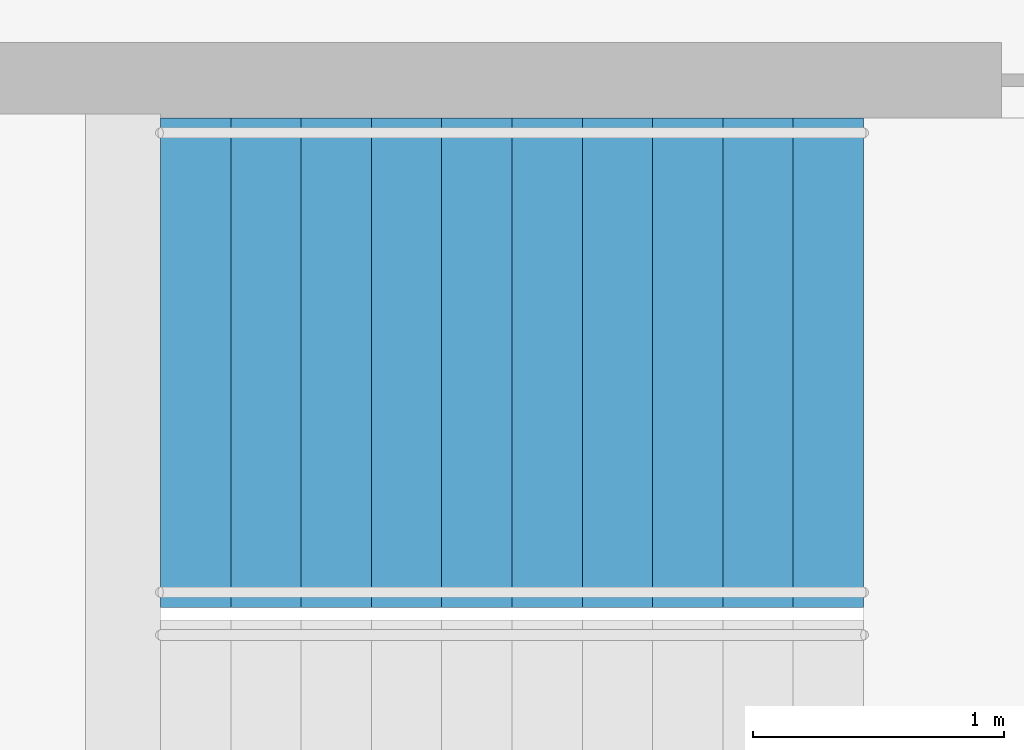
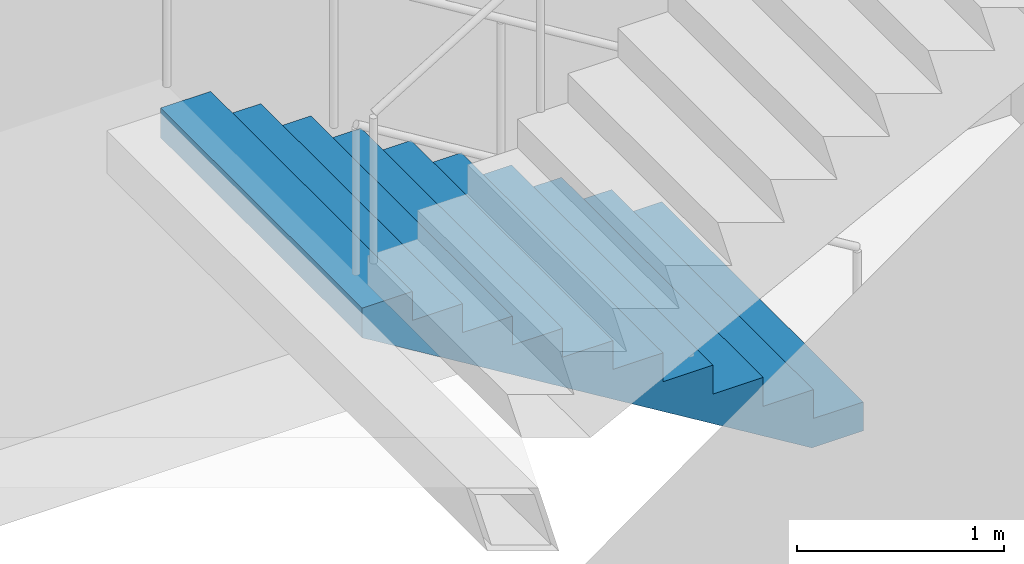
# One storey, part 25 of 28: 1 stair flight, 1 element without a shape of its own.
"""IFC4 building model written with IfcOpenShell, lengths in metres."""

from ifc_helpers import new_model, si_unit, direction, frame, origin, place, context, subcontext, project, spatial, triangles, material, type_object, element, aggregate, save


model = new_model("IFC4")

# Units and contexts
model_context = context("Model", 3, precision=1e-05, world=origin(), true_north=direction((0.0, 1.0)))
body_context = subcontext(model_context, "Body", "Model", "MODEL_VIEW")
ifc_project = project(units=[si_unit("LENGTHUNIT", "METRE"), si_unit("AREAUNIT", "SQUARE_METRE"), si_unit("VOLUMEUNIT", "CUBIC_METRE"), si_unit("PLANEANGLEUNIT", "RADIAN"), si_unit("MASSUNIT", "GRAM", prefix="KILO")], contexts=[model_context])

# Site, building, storey
site_placement = place(None, origin())
site = spatial("IfcSite", under=ifc_project, at=site_placement, CompositionType="ELEMENT")
building_placement = place(site_placement, origin())
building = spatial("IfcBuilding", under=site, at=building_placement, Name="Orbita Commons", CompositionType="ELEMENT")
storey_placement = place(building_placement, frame((0.0, 0.0, 38.949951171875)))
storey = spatial("IfcBuildingStorey", under=building, at=storey_placement, Name="L09", CompositionType="ELEMENT", Elevation=38.949951171875)

# Stair, stair flight
ifc_material_1 = material(Name="Precast concrete C40/50", Category="concrete")
stair_type = type_object("IfcStairType", Name="Exit stair S2 2 flights 11 risers 170", PredefinedType="HALF_TURN_STAIR", material=ifc_material_1)
stair_placement = place(storey_placement, origin())
stair = element("IfcStair", 1, at=stair_placement, inside=storey, type_object=stair_type, Name="Exit stair S2 L09", PredefinedType="HALF_TURN_STAIR")
ifc_material_2 = material(Name="Precast concrete C40/50", Category="concrete")
stair_flight_type = type_object("IfcStairFlightType", Name="Stair flight 11 risers 170 x 280", PredefinedType="STRAIGHT", material=ifc_material_2)
stair_flight_placement = place(storey_placement, frame((63.550048828125, 29.27490234375, 0.0), z_axis=(0.0, 0.0, 1.0), x_axis=(-1.0, 0.0, 0.0)))
stair_flight = element("IfcStairFlight", 2, at=stair_flight_placement, type_object=stair_flight_type, Name="S2 flight 1", NumberOfRisers=11, NumberOfTreads=10, PredefinedType="STRAIGHT", RiserHeight=0.170454545, TreadLength=0.28, context=body_context, shape_type="Tessellation", body=[
    triangles([(0.0, 0.974976, 0.0), (0.0, 0.974976, 0.021307), (0.0, 0.81248, 0.021307), (0.0, 0.81248, 0.0), (0.0, 0.649984, 0.021307), (0.0, 0.649984, 0.0), (0.0, 0.487488, 0.021307), (0.0, 0.487488, 0.0), (0.0, 0.324992, 0.021307), (0.0, 0.324992, 0.0), (0.0, 0.162496, 0.021307), (0.0, 0.162496, 0.0), (0.0, 0.0, 0.021307), (0.0, 0.0, 0.0), (0.0, -0.162496, 0.021307), (0.0, -0.162496, 0.0), (0.0, -0.324992, 0.021307), (0.0, -0.324992, 0.0), (0.0, -0.487488, 0.021307), (0.0, -0.487488, 0.0), (0.0, -0.649984, 0.021307), (0.0, -0.649984, 0.0), (0.0, -0.81248, 0.021307), (0.0, -0.81248, 0.0), (0.0, -0.974976, 0.021307), (0.0, -0.974976, 0.0), (0.0, 0.974976, 0.042614), (0.0, 0.81248, 0.042614), (0.0, 0.649984, 0.042614), (0.0, 0.487488, 0.042614), (0.0, 0.324992, 0.042614), (0.0, 0.162496, 0.042614), (0.0, 0.0, 0.042614), (0.0, -0.162496, 0.042614), (0.0, -0.324992, 0.042614), (0.0, -0.487488, 0.042614), (0.0, -0.649984, 0.042614), (0.0, -0.81248, 0.042614), (0.0, -0.974976, 0.042614), (0.0, 0.974976, 0.06392), (0.0, 0.81248, 0.06392), (0.0, 0.649984, 0.06392), (0.0, 0.487488, 0.06392), (0.0, 0.324992, 0.06392), (0.0, 0.162496, 0.06392), (0.0, 0.0, 0.06392), (0.0, -0.162496, 0.06392), (0.0, -0.324992, 0.06392), (0.0, -0.487488, 0.06392), (0.0, -0.649984, 0.06392), (0.0, -0.81248, 0.06392), (0.0, -0.974976, 0.06392), (0.0, 0.974976, 0.085227), (0.0, 0.81248, 0.085227), (0.0, 0.649984, 0.085227), (0.0, 0.487488, 0.085227), (0.0, 0.324992, 0.085227), (0.0, 0.162496, 0.085227), (0.0, 0.0, 0.085227), (0.0, -0.162496, 0.085227), (0.0, -0.324992, 0.085227), (0.0, -0.487488, 0.085227), (0.0, -0.649984, 0.085227), (0.0, -0.81248, 0.085227), (0.0, -0.974976, 0.085227), (0.0, 0.974976, 0.106534), (0.0, 0.81248, 0.106534), (0.0, 0.649984, 0.106534), (0.0, 0.487488, 0.106534), (0.0, 0.324992, 0.106534), (0.0, 0.162496, 0.106534), (0.0, 0.0, 0.106534), (0.0, -0.162496, 0.106534), (0.0, -0.324992, 0.106534), (0.0, -0.487488, 0.106534), (0.0, -0.649984, 0.106534), (0.0, -0.81248, 0.106534), (0.0, -0.974976, 0.106534), (0.0, 0.974976, 0.127841), (0.0, 0.81248, 0.127841), (0.0, 0.649984, 0.127841), (0.0, 0.487488, 0.127841), (0.0, 0.324992, 0.127841), (0.0, 0.162496, 0.127841), (0.0, 0.0, 0.127841), (0.0, -0.162496, 0.127841), (0.0, -0.324992, 0.127841), (0.0, -0.487488, 0.127841), (0.0, -0.649984, 0.127841), (0.0, -0.81248, 0.127841), (0.0, -0.974976, 0.127841), (0.0, 0.974976, 0.149148), (0.0, 0.81248, 0.149148), (0.0, 0.649984, 0.149148), (0.0, 0.487488, 0.149148), (0.0, 0.324992, 0.149148), (0.0, 0.162496, 0.149148), (0.0, 0.0, 0.149148), (0.0, -0.162496, 0.149148), (0.0, -0.324992, 0.149148), (0.0, -0.487488, 0.149148), (0.0, -0.649984, 0.149148), (0.0, -0.81248, 0.149148), (0.0, -0.974976, 0.149148), (0.0, 0.974976, 0.170455), (0.0, 0.81248, 0.170455), (0.0, 0.649984, 0.170455), (0.0, 0.487488, 0.170455), (0.0, 0.324992, 0.170455), (0.0, 0.162496, 0.170455), (0.0, 0.0, 0.170455), (0.0, -0.162496, 0.170455), (0.0, -0.324992, 0.170455), (0.0, -0.487488, 0.170455), (0.0, -0.649984, 0.170455), (0.0, -0.81248, 0.170455), (0.0, -0.974976, 0.170455), (0.28, 0.974976, 0.170455), (0.28, 0.81248, 0.170455), (0.28, 0.649984, 0.170455), (0.28, 0.487488, 0.170455), (0.28, 0.324992, 0.170455), (0.28, 0.162496, 0.170455), (0.28, 0.0, 0.170455), (0.28, -0.162496, 0.170455), (0.28, -0.324992, 0.170455), (0.28, -0.487488, 0.170455), (0.28, -0.649984, 0.170455), (0.28, -0.81248, 0.170455), (0.28, -0.974976, 0.170455), (0.28, 0.974976, 0.340909), (0.28, 0.81248, 0.340909), (0.28, 0.649984, 0.340909), (0.28, 0.487488, 0.340909), (0.28, 0.324992, 0.340909), (0.28, 0.162496, 0.340909), (0.28, 0.0, 0.340909), (0.28, -0.162496, 0.340909), (0.28, -0.324992, 0.340909), (0.28, -0.487488, 0.340909), (0.28, -0.649984, 0.340909), (0.28, -0.81248, 0.340909), (0.28, -0.974976, 0.340909), (0.56, 0.974976, 0.340909), (0.56, 0.81248, 0.340909), (0.56, 0.649984, 0.340909), (0.56, 0.487488, 0.340909), (0.56, 0.324992, 0.340909), (0.56, 0.162496, 0.340909), (0.56, 0.0, 0.340909), (0.56, -0.162496, 0.340909), (0.56, -0.324992, 0.340909), (0.56, -0.487488, 0.340909), (0.56, -0.649984, 0.340909), (0.56, -0.81248, 0.340909), (0.56, -0.974976, 0.340909), (0.56, 0.974976, 0.511364), (0.56, 0.81248, 0.511364), (0.56, 0.649984, 0.511364), (0.56, 0.487488, 0.511364), (0.56, 0.324992, 0.511364), (0.56, 0.162496, 0.511364), (0.56, 0.0, 0.511364), (0.56, -0.162496, 0.511364), (0.56, -0.324992, 0.511364), (0.56, -0.487488, 0.511364), (0.56, -0.649984, 0.511364), (0.56, -0.81248, 0.511364), (0.56, -0.974976, 0.511364), (0.84, 0.974976, 0.511364), (0.84, 0.81248, 0.511364), (0.84, 0.649984, 0.511364), (0.84, 0.487488, 0.511364), (0.84, 0.324992, 0.511364), (0.84, 0.162496, 0.511364), (0.84, 0.0, 0.511364), (0.84, -0.162496, 0.511364), (0.84, -0.324992, 0.511364), (0.84, -0.487488, 0.511364), (0.84, -0.649984, 0.511364), (0.84, -0.81248, 0.511364), (0.84, -0.974976, 0.511364), (0.84, 0.974976, 0.681818), (0.84, 0.81248, 0.681818), (0.84, 0.649984, 0.681818), (0.84, 0.487488, 0.681818), (0.84, 0.324992, 0.681818), (0.84, 0.162496, 0.681818), (0.84, 0.0, 0.681818), (0.84, -0.162496, 0.681818), (0.84, -0.324992, 0.681818), (0.84, -0.487488, 0.681818), (0.84, -0.649984, 0.681818), (0.84, -0.81248, 0.681818), (0.84, -0.974976, 0.681818), (1.12, 0.974976, 0.681818), (1.12, 0.81248, 0.681818), (1.12, 0.649984, 0.681818), (1.12, 0.487488, 0.681818), (1.12, 0.324992, 0.681818), (1.12, 0.162496, 0.681818), (1.12, 0.0, 0.681818), (1.12, -0.162496, 0.681818), (1.12, -0.324992, 0.681818), (1.12, -0.487488, 0.681818), (1.12, -0.649984, 0.681818), (1.12, -0.81248, 0.681818), (1.12, -0.974976, 0.681818), (1.12, 0.974976, 0.852273), (1.12, 0.81248, 0.852273), (1.12, 0.649984, 0.852273), (1.12, 0.487488, 0.852273), (1.12, 0.324992, 0.852273), (1.12, 0.162496, 0.852273), (1.12, 0.0, 0.852273), (1.12, -0.162496, 0.852273), (1.12, -0.324992, 0.852273), (1.12, -0.487488, 0.852273), (1.12, -0.649984, 0.852273), (1.12, -0.81248, 0.852273), (1.12, -0.974976, 0.852273), (1.4, 0.974976, 0.852273), (1.4, 0.81248, 0.852273), (1.4, 0.649984, 0.852273), (1.4, 0.487488, 0.852273), (1.4, 0.324992, 0.852273), (1.4, 0.162496, 0.852273), (1.4, 0.0, 0.852273), (1.4, -0.162496, 0.852273), (1.4, -0.324992, 0.852273), (1.4, -0.487488, 0.852273), (1.4, -0.649984, 0.852273), (1.4, -0.81248, 0.852273), (1.4, -0.974976, 0.852273), (1.4, 0.974976, 1.022727), (1.4, 0.81248, 1.022727), (1.4, 0.649984, 1.022727), (1.4, 0.487488, 1.022727), (1.4, 0.324992, 1.022727), (1.4, 0.162496, 1.022727), (1.4, 0.0, 1.022727), (1.4, -0.162496, 1.022727), (1.4, -0.324992, 1.022727), (1.4, -0.487488, 1.022727), (1.4, -0.649984, 1.022727), (1.4, -0.81248, 1.022727), (1.4, -0.974976, 1.022727), (1.68, 0.974976, 1.022727), (1.68, 0.81248, 1.022727), (1.68, 0.649984, 1.022727), (1.68, 0.487488, 1.022727), (1.68, 0.324992, 1.022727), (1.68, 0.162496, 1.022727), (1.68, 0.0, 1.022727), (1.68, -0.162496, 1.022727), (1.68, -0.324992, 1.022727), (1.68, -0.487488, 1.022727), (1.68, -0.649984, 1.022727), (1.68, -0.81248, 1.022727), (1.68, -0.974976, 1.022727), (1.68, 0.974976, 1.193182), (1.68, 0.81248, 1.193182), (1.68, 0.649984, 1.193182), (1.68, 0.487488, 1.193182), (1.68, 0.324992, 1.193182), (1.68, 0.162496, 1.193182), (1.68, 0.0, 1.193182), (1.68, -0.162496, 1.193182), (1.68, -0.324992, 1.193182), (1.68, -0.487488, 1.193182), (1.68, -0.649984, 1.193182), (1.68, -0.81248, 1.193182), (1.68, -0.974976, 1.193182), (1.96, 0.974976, 1.193182), (1.96, 0.81248, 1.193182), (1.96, 0.649984, 1.193182), (1.96, 0.487488, 1.193182), (1.96, 0.324992, 1.193182), (1.96, 0.162496, 1.193182), (1.96, 0.0, 1.193182), (1.96, -0.162496, 1.193182), (1.96, -0.324992, 1.193182), (1.96, -0.487488, 1.193182), (1.96, -0.649984, 1.193182), (1.96, -0.81248, 1.193182), (1.96, -0.974976, 1.193182), (1.96, 0.974976, 1.363636), (1.96, 0.81248, 1.363636), (1.96, 0.649984, 1.363636), (1.96, 0.487488, 1.363636), (1.96, 0.324992, 1.363636), (1.96, 0.162496, 1.363636), (1.96, 0.0, 1.363636), (1.96, -0.162496, 1.363636), (1.96, -0.324992, 1.363636), (1.96, -0.487488, 1.363636), (1.96, -0.649984, 1.363636), (1.96, -0.81248, 1.363636), (1.96, -0.974976, 1.363636), (2.24, 0.974976, 1.363636), (2.24, 0.81248, 1.363636), (2.24, 0.649984, 1.363636), (2.24, 0.487488, 1.363636), (2.24, 0.324992, 1.363636), (2.24, 0.162496, 1.363636), (2.24, 0.0, 1.363636), (2.24, -0.162496, 1.363636), (2.24, -0.324992, 1.363636), (2.24, -0.487488, 1.363636), (2.24, -0.649984, 1.363636), (2.24, -0.81248, 1.363636), (2.24, -0.974976, 1.363636), (2.24, 0.974976, 1.534091), (2.24, 0.81248, 1.534091), (2.24, 0.649984, 1.534091), (2.24, 0.487488, 1.534091), (2.24, 0.324992, 1.534091), (2.24, 0.162496, 1.534091), (2.24, 0.0, 1.534091), (2.24, -0.162496, 1.534091), (2.24, -0.324992, 1.534091), (2.24, -0.487488, 1.534091), (2.24, -0.649984, 1.534091), (2.24, -0.81248, 1.534091), (2.24, -0.974976, 1.534091), (2.52, 0.974976, 1.534091), (2.52, 0.81248, 1.534091), (2.52, 0.649984, 1.534091), (2.52, 0.487488, 1.534091), (2.52, 0.324992, 1.534091), (2.52, 0.162496, 1.534091), (2.52, 0.0, 1.534091), (2.52, -0.162496, 1.534091), (2.52, -0.324992, 1.534091), (2.52, -0.487488, 1.534091), (2.52, -0.649984, 1.534091), (2.52, -0.81248, 1.534091), (2.52, -0.974976, 1.534091), (2.52, 0.974976, 1.704545), (2.52, 0.81248, 1.704545), (2.52, 0.649984, 1.704545), (2.52, 0.487488, 1.704545), (2.52, 0.324992, 1.704545), (2.52, 0.162496, 1.704545), (2.52, 0.0, 1.704545), (2.52, -0.162496, 1.704545), (2.52, -0.324992, 1.704545), (2.52, -0.487488, 1.704545), (2.52, -0.649984, 1.704545), (2.52, -0.81248, 1.704545), (2.52, -0.974976, 1.704545), (2.8, 0.974976, 1.704545), (2.8, 0.81248, 1.704545), (2.8, 0.649984, 1.704545), (2.8, 0.487488, 1.704545), (2.8, 0.324992, 1.704545), (2.8, 0.162496, 1.704545), (2.8, 0.0, 1.704545), (2.8, -0.162496, 1.704545), (2.8, -0.324992, 1.704545), (2.8, -0.487488, 1.704545), (2.8, -0.649984, 1.704545), (2.8, -0.81248, 1.704545), (2.8, -0.974976, 1.704545), (2.8, 0.974976, 1.682609), (2.8, 0.81248, 1.682609), (2.8, 0.649984, 1.682609), (2.8, 0.487488, 1.682609), (2.8, 0.324992, 1.682609), (2.8, 0.162496, 1.682609), (2.8, 0.0, 1.682609), (2.8, -0.162496, 1.682609), (2.8, -0.324992, 1.682609), (2.8, -0.487488, 1.682609), (2.8, -0.649984, 1.682609), (2.8, -0.81248, 1.682609), (2.8, -0.974976, 1.682609), (2.8, 0.974976, 1.660672), (2.8, 0.81248, 1.660672), (2.8, 0.649984, 1.660672), (2.8, 0.487488, 1.660672), (2.8, 0.324992, 1.660672), (2.8, 0.162496, 1.660672), (2.8, 0.0, 1.660672), (2.8, -0.162496, 1.660672), (2.8, -0.324992, 1.660672), (2.8, -0.487488, 1.660672), (2.8, -0.649984, 1.660672), (2.8, -0.81248, 1.660672), (2.8, -0.974976, 1.660672), (2.8, 0.974976, 1.638735), (2.8, 0.81248, 1.638735), (2.8, 0.649984, 1.638735), (2.8, 0.487488, 1.638735), (2.8, 0.324992, 1.638735), (2.8, 0.162496, 1.638735), (2.8, 0.0, 1.638735), (2.8, -0.162496, 1.638735), (2.8, -0.324992, 1.638735), (2.8, -0.487488, 1.638735), (2.8, -0.649984, 1.638735), (2.8, -0.81248, 1.638735), (2.8, -0.974976, 1.638735), (2.8, 0.974976, 1.616798), (2.8, 0.81248, 1.616798), (2.8, 0.649984, 1.616798), (2.8, 0.487488, 1.616798), (2.8, 0.324992, 1.616798), (2.8, 0.162496, 1.616798), (2.8, 0.0, 1.616798), (2.8, -0.162496, 1.616798), (2.8, -0.324992, 1.616798), (2.8, -0.487488, 1.616798), (2.8, -0.649984, 1.616798), (2.8, -0.81248, 1.616798), (2.8, -0.974976, 1.616798), (2.8, 0.974976, 1.594861), (2.8, 0.81248, 1.594861), (2.8, 0.649984, 1.594861), (2.8, 0.487488, 1.594861), (2.8, 0.324992, 1.594861), (2.8, 0.162496, 1.594861), (2.8, 0.0, 1.594861), (2.8, -0.162496, 1.594861), (2.8, -0.324992, 1.594861), (2.8, -0.487488, 1.594861), (2.8, -0.649984, 1.594861), (2.8, -0.81248, 1.594861), (2.8, -0.974976, 1.594861), (2.8, 0.974976, 1.572925), (2.8, 0.81248, 1.572925), (2.8, 0.649984, 1.572925), (2.8, 0.487488, 1.572925), (2.8, 0.324992, 1.572925), (2.8, 0.162496, 1.572925), (2.8, 0.0, 1.572925), (2.8, -0.162496, 1.572925), (2.8, -0.324992, 1.572925), (2.8, -0.487488, 1.572925), (2.8, -0.649984, 1.572925), (2.8, -0.81248, 1.572925), (2.8, -0.974976, 1.572925), (2.8, 0.974976, 1.550988), (2.8, 0.81248, 1.550988), (2.8, 0.649984, 1.550988), (2.8, 0.487488, 1.550988), (2.8, 0.324992, 1.550988), (2.8, 0.162496, 1.550988), (2.8, 0.0, 1.550988), (2.8, -0.162496, 1.550988), (2.8, -0.324992, 1.550988), (2.8, -0.487488, 1.550988), (2.8, -0.649984, 1.550988), (2.8, -0.81248, 1.550988), (2.8, -0.974976, 1.550988), (2.8, 0.974976, 1.529051), (2.8, 0.81248, 1.529051), (2.8, 0.649984, 1.529051), (2.8, 0.487488, 1.529051), (2.8, 0.324992, 1.529051), (2.8, 0.162496, 1.529051), (2.8, 0.0, 1.529051), (2.8, -0.162496, 1.529051), (2.8, -0.324992, 1.529051), (2.8, -0.487488, 1.529051), (2.8, -0.649984, 1.529051), (2.8, -0.81248, 1.529051), (2.8, -0.974976, 1.529051), (0.288279, 0.974976, 0.0), (0.288279, 0.81248, 0.0), (0.288279, 0.649984, 0.0), (0.288279, 0.487488, 0.0), (0.288279, 0.324992, 0.0), (0.288279, 0.162496, 0.0), (0.288279, 0.0, 0.0), (0.288279, -0.162496, 0.0), (0.288279, -0.324992, 0.0), (0.288279, -0.487488, 0.0), (0.288279, -0.649984, 0.0), (0.288279, -0.81248, 0.0), (0.288279, -0.974976, 0.0)], [[3, 2, 1], [4, 3, 1], [5, 3, 4], [6, 5, 4], [7, 5, 6], [8, 7, 6], [9, 7, 8], [10, 9, 8], [11, 9, 10], [12, 11, 10], [13, 11, 12], [14, 13, 12], [15, 13, 14], [16, 15, 14], [17, 15, 16], [18, 17, 16], [19, 17, 18], [20, 19, 18], [21, 19, 20], [22, 21, 20], [23, 21, 22], [24, 23, 22], [25, 23, 24], [26, 25, 24], [28, 27, 2], [3, 28, 2], [29, 28, 3], [5, 29, 3], [30, 29, 5], [7, 30, 5], [31, 30, 7], [9, 31, 7], [32, 31, 9], [11, 32, 9], [33, 32, 11], [13, 33, 11], [34, 33, 13], [15, 34, 13], [35, 34, 15], [17, 35, 15], [36, 35, 17], [19, 36, 17], [37, 36, 19], [21, 37, 19], [38, 37, 21], [23, 38, 21], [39, 38, 23], [25, 39, 23], [41, 40, 27], [28, 41, 27], [42, 41, 28], [29, 42, 28], [43, 42, 29], [30, 43, 29], [44, 43, 30], [31, 44, 30], [45, 44, 31], [32, 45, 31], [46, 45, 32], [33, 46, 32], [47, 46, 33], [34, 47, 33], [48, 47, 34], [35, 48, 34], [49, 48, 35], [36, 49, 35], [50, 49, 36], [37, 50, 36], [51, 50, 37], [38, 51, 37], [52, 51, 38], [39, 52, 38], [54, 53, 40], [41, 54, 40], [55, 54, 41], [42, 55, 41], [56, 55, 42], [43, 56, 42], [57, 56, 43], [44, 57, 43], [58, 57, 44], [45, 58, 44], [59, 58, 45], [46, 59, 45], [60, 59, 46], [47, 60, 46], [61, 60, 47], [48, 61, 47], [62, 61, 48], [49, 62, 48], [63, 62, 49], [50, 63, 49], [64, 63, 50], [51, 64, 50], [65, 64, 51], [52, 65, 51], [67, 66, 53], [54, 67, 53], [68, 67, 54], [55, 68, 54], [69, 68, 55], [56, 69, 55], [70, 69, 56], [57, 70, 56], [71, 70, 57], [58, 71, 57], [72, 71, 58], [59, 72, 58], [73, 72, 59], [60, 73, 59], [74, 73, 60], [61, 74, 60], [75, 74, 61], [62, 75, 61], [76, 75, 62], [63, 76, 62], [77, 76, 63], [64, 77, 63], [78, 77, 64], [65, 78, 64], [80, 79, 66], [67, 80, 66], [81, 80, 67], [68, 81, 67], [82, 81, 68], [69, 82, 68], [83, 82, 69], [70, 83, 69], [84, 83, 70], [71, 84, 70], [85, 84, 71], [72, 85, 71], [86, 85, 72], [73, 86, 72], [87, 86, 73], [74, 87, 73], [88, 87, 74], [75, 88, 74], [89, 88, 75], [76, 89, 75], [90, 89, 76], [77, 90, 76], [91, 90, 77], [78, 91, 77], [93, 92, 79], [80, 93, 79], [94, 93, 80], [81, 94, 80], [95, 94, 81], [82, 95, 81], [96, 95, 82], [83, 96, 82], [97, 96, 83], [84, 97, 83], [98, 97, 84], [85, 98, 84], [99, 98, 85], [86, 99, 85], [100, 99, 86], [87, 100, 86], [101, 100, 87], [88, 101, 87], [102, 101, 88], [89, 102, 88], [103, 102, 89], [90, 103, 89], [104, 103, 90], [91, 104, 90], [106, 105, 92], [93, 106, 92], [107, 106, 93], [94, 107, 93], [108, 107, 94], [95, 108, 94], [109, 108, 95], [96, 109, 95], [110, 109, 96], [97, 110, 96], [111, 110, 97], [98, 111, 97], [112, 111, 98], [99, 112, 98], [113, 112, 99], [100, 113, 99], [114, 113, 100], [101, 114, 100], [115, 114, 101], [102, 115, 101], [116, 115, 102], [103, 116, 102], [117, 116, 103], [104, 117, 103], [119, 118, 105], [106, 119, 105], [120, 119, 106], [107, 120, 106], [121, 120, 107], [108, 121, 107], [122, 121, 108], [109, 122, 108], [123, 122, 109], [110, 123, 109], [124, 123, 110], [111, 124, 110], [125, 124, 111], [112, 125, 111], [126, 125, 112], [113, 126, 112], [127, 126, 113], [114, 127, 113], [128, 127, 114], [115, 128, 114], [129, 128, 115], [116, 129, 115], [130, 129, 116], [117, 130, 116], [132, 131, 118], [119, 132, 118], [133, 132, 119], [120, 133, 119], [134, 133, 120], [121, 134, 120], [135, 134, 121], [122, 135, 121], [136, 135, 122], [123, 136, 122], [137, 136, 123], [124, 137, 123], [138, 137, 124], [125, 138, 124], [139, 138, 125], [126, 139, 125], [140, 139, 126], [127, 140, 126], [141, 140, 127], [128, 141, 127], [142, 141, 128], [129, 142, 128], [143, 142, 129], [130, 143, 129], [145, 144, 131], [132, 145, 131], [146, 145, 132], [133, 146, 132], [147, 146, 133], [134, 147, 133], [148, 147, 134], [135, 148, 134], [149, 148, 135], [136, 149, 135], [150, 149, 136], [137, 150, 136], [151, 150, 137], [138, 151, 137], [152, 151, 138], [139, 152, 138], [153, 152, 139], [140, 153, 139], [154, 153, 140], [141, 154, 140], [155, 154, 141], [142, 155, 141], [156, 155, 142], [143, 156, 142], [158, 157, 144], [145, 158, 144], [159, 158, 145], [146, 159, 145], [160, 159, 146], [147, 160, 146], [161, 160, 147], [148, 161, 147], [162, 161, 148], [149, 162, 148], [163, 162, 149], [150, 163, 149], [164, 163, 150], [151, 164, 150], [165, 164, 151], [152, 165, 151], [166, 165, 152], [153, 166, 152], [167, 166, 153], [154, 167, 153], [168, 167, 154], [155, 168, 154], [169, 168, 155], [156, 169, 155], [171, 170, 157], [158, 171, 157], [172, 171, 158], [159, 172, 158], [173, 172, 159], [160, 173, 159], [174, 173, 160], [161, 174, 160], [175, 174, 161], [162, 175, 161], [176, 175, 162], [163, 176, 162], [177, 176, 163], [164, 177, 163], [178, 177, 164], [165, 178, 164], [179, 178, 165], [166, 179, 165], [180, 179, 166], [167, 180, 166], [181, 180, 167], [168, 181, 167], [182, 181, 168], [169, 182, 168], [184, 183, 170], [171, 184, 170], [185, 184, 171], [172, 185, 171], [186, 185, 172], [173, 186, 172], [187, 186, 173], [174, 187, 173], [188, 187, 174], [175, 188, 174], [189, 188, 175], [176, 189, 175], [190, 189, 176], [177, 190, 176], [191, 190, 177], [178, 191, 177], [192, 191, 178], [179, 192, 178], [193, 192, 179], [180, 193, 179], [194, 193, 180], [181, 194, 180], [195, 194, 181], [182, 195, 181], [197, 196, 183], [184, 197, 183], [198, 197, 184], [185, 198, 184], [199, 198, 185], [186, 199, 185], [200, 199, 186], [187, 200, 186], [201, 200, 187], [188, 201, 187], [202, 201, 188], [189, 202, 188], [203, 202, 189], [190, 203, 189], [204, 203, 190], [191, 204, 190], [205, 204, 191], [192, 205, 191], [206, 205, 192], [193, 206, 192], [207, 206, 193], [194, 207, 193], [208, 207, 194], [195, 208, 194], [210, 209, 196], [197, 210, 196], [211, 210, 197], [198, 211, 197], [212, 211, 198], [199, 212, 198], [213, 212, 199], [200, 213, 199], [214, 213, 200], [201, 214, 200], [215, 214, 201], [202, 215, 201], [216, 215, 202], [203, 216, 202], [217, 216, 203], [204, 217, 203], [218, 217, 204], [205, 218, 204], [219, 218, 205], [206, 219, 205], [220, 219, 206], [207, 220, 206], [221, 220, 207], [208, 221, 207], [223, 222, 209], [210, 223, 209], [224, 223, 210], [211, 224, 210], [225, 224, 211], [212, 225, 211], [226, 225, 212], [213, 226, 212], [227, 226, 213], [214, 227, 213], [228, 227, 214], [215, 228, 214], [229, 228, 215], [216, 229, 215], [230, 229, 216], [217, 230, 216], [231, 230, 217], [218, 231, 217], [232, 231, 218], [219, 232, 218], [233, 232, 219], [220, 233, 219], [234, 233, 220], [221, 234, 220], [236, 235, 222], [223, 236, 222], [237, 236, 223], [224, 237, 223], [238, 237, 224], [225, 238, 224], [239, 238, 225], [226, 239, 225], [240, 239, 226], [227, 240, 226], [241, 240, 227], [228, 241, 227], [242, 241, 228], [229, 242, 228], [243, 242, 229], [230, 243, 229], [244, 243, 230], [231, 244, 230], [245, 244, 231], [232, 245, 231], [246, 245, 232], [233, 246, 232], [247, 246, 233], [234, 247, 233], [249, 248, 235], [236, 249, 235], [250, 249, 236], [237, 250, 236], [251, 250, 237], [238, 251, 237], [252, 251, 238], [239, 252, 238], [253, 252, 239], [240, 253, 239], [254, 253, 240], [241, 254, 240], [255, 254, 241], [242, 255, 241], [256, 255, 242], [243, 256, 242], [257, 256, 243], [244, 257, 243], [258, 257, 244], [245, 258, 244], [259, 258, 245], [246, 259, 245], [260, 259, 246], [247, 260, 246], [262, 261, 248], [249, 262, 248], [263, 262, 249], [250, 263, 249], [264, 263, 250], [251, 264, 250], [265, 264, 251], [252, 265, 251], [266, 265, 252], [253, 266, 252], [267, 266, 253], [254, 267, 253], [268, 267, 254], [255, 268, 254], [269, 268, 255], [256, 269, 255], [270, 269, 256], [257, 270, 256], [271, 270, 257], [258, 271, 257], [272, 271, 258], [259, 272, 258], [273, 272, 259], [260, 273, 259], [275, 274, 261], [262, 275, 261], [276, 275, 262], [263, 276, 262], [277, 276, 263], [264, 277, 263], [278, 277, 264], [265, 278, 264], [279, 278, 265], [266, 279, 265], [280, 279, 266], [267, 280, 266], [281, 280, 267], [268, 281, 267], [282, 281, 268], [269, 282, 268], [283, 282, 269], [270, 283, 269], [284, 283, 270], [271, 284, 270], [285, 284, 271], [272, 285, 271], [286, 285, 272], [273, 286, 272], [288, 287, 274], [275, 288, 274], [289, 288, 275], [276, 289, 275], [290, 289, 276], [277, 290, 276], [291, 290, 277], [278, 291, 277], [292, 291, 278], [279, 292, 278], [293, 292, 279], [280, 293, 279], [294, 293, 280], [281, 294, 280], [295, 294, 281], [282, 295, 281], [296, 295, 282], [283, 296, 282], [297, 296, 283], [284, 297, 283], [298, 297, 284], [285, 298, 284], [299, 298, 285], [286, 299, 285], [301, 300, 287], [288, 301, 287], [302, 301, 288], [289, 302, 288], [303, 302, 289], [290, 303, 289], [304, 303, 290], [291, 304, 290], [305, 304, 291], [292, 305, 291], [306, 305, 292], [293, 306, 292], [307, 306, 293], [294, 307, 293], [308, 307, 294], [295, 308, 294], [309, 308, 295], [296, 309, 295], [310, 309, 296], [297, 310, 296], [311, 310, 297], [298, 311, 297], [312, 311, 298], [299, 312, 298], [314, 313, 300], [301, 314, 300], [315, 314, 301], [302, 315, 301], [316, 315, 302], [303, 316, 302], [317, 316, 303], [304, 317, 303], [318, 317, 304], [305, 318, 304], [319, 318, 305], [306, 319, 305], [320, 319, 306], [307, 320, 306], [321, 320, 307], [308, 321, 307], [322, 321, 308], [309, 322, 308], [323, 322, 309], [310, 323, 309], [324, 323, 310], [311, 324, 310], [325, 324, 311], [312, 325, 311], [327, 326, 313], [314, 327, 313], [328, 327, 314], [315, 328, 314], [329, 328, 315], [316, 329, 315], [330, 329, 316], [317, 330, 316], [331, 330, 317], [318, 331, 317], [332, 331, 318], [319, 332, 318], [333, 332, 319], [320, 333, 319], [334, 333, 320], [321, 334, 320], [335, 334, 321], [322, 335, 321], [336, 335, 322], [323, 336, 322], [337, 336, 323], [324, 337, 323], [338, 337, 324], [325, 338, 324], [340, 339, 326], [327, 340, 326], [341, 340, 327], [328, 341, 327], [342, 341, 328], [329, 342, 328], [343, 342, 329], [330, 343, 329], [344, 343, 330], [331, 344, 330], [345, 344, 331], [332, 345, 331], [346, 345, 332], [333, 346, 332], [347, 346, 333], [334, 347, 333], [348, 347, 334], [335, 348, 334], [349, 348, 335], [336, 349, 335], [350, 349, 336], [337, 350, 336], [351, 350, 337], [338, 351, 337], [353, 352, 339], [340, 353, 339], [354, 353, 340], [341, 354, 340], [355, 354, 341], [342, 355, 341], [356, 355, 342], [343, 356, 342], [357, 356, 343], [344, 357, 343], [358, 357, 344], [345, 358, 344], [359, 358, 345], [346, 359, 345], [360, 359, 346], [347, 360, 346], [361, 360, 347], [348, 361, 347], [362, 361, 348], [349, 362, 348], [363, 362, 349], [350, 363, 349], [364, 363, 350], [351, 364, 350], [366, 365, 352], [353, 366, 352], [367, 366, 353], [354, 367, 353], [368, 367, 354], [355, 368, 354], [369, 368, 355], [356, 369, 355], [370, 369, 356], [357, 370, 356], [371, 370, 357], [358, 371, 357], [372, 371, 358], [359, 372, 358], [373, 372, 359], [360, 373, 359], [374, 373, 360], [361, 374, 360], [375, 374, 361], [362, 375, 361], [376, 375, 362], [363, 376, 362], [377, 376, 363], [364, 377, 363], [379, 378, 365], [366, 379, 365], [380, 379, 366], [367, 380, 366], [381, 380, 367], [368, 381, 367], [382, 381, 368], [369, 382, 368], [383, 382, 369], [370, 383, 369], [384, 383, 370], [371, 384, 370], [385, 384, 371], [372, 385, 371], [386, 385, 372], [373, 386, 372], [387, 386, 373], [374, 387, 373], [388, 387, 374], [375, 388, 374], [389, 388, 375], [376, 389, 375], [390, 389, 376], [377, 390, 376], [392, 391, 378], [379, 392, 378], [393, 392, 379], [380, 393, 379], [394, 393, 380], [381, 394, 380], [395, 394, 381], [382, 395, 381], [396, 395, 382], [383, 396, 382], [397, 396, 383], [384, 397, 383], [398, 397, 384], [385, 398, 384], [399, 398, 385], [386, 399, 385], [400, 399, 386], [387, 400, 386], [401, 400, 387], [388, 401, 387], [402, 401, 388], [389, 402, 388], [403, 402, 389], [390, 403, 389], [405, 404, 391], [392, 405, 391], [406, 405, 392], [393, 406, 392], [407, 406, 393], [394, 407, 393], [408, 407, 394], [395, 408, 394], [409, 408, 395], [396, 409, 395], [410, 409, 396], [397, 410, 396], [411, 410, 397], [398, 411, 397], [412, 411, 398], [399, 412, 398], [413, 412, 399], [400, 413, 399], [414, 413, 400], [401, 414, 400], [415, 414, 401], [402, 415, 401], [416, 415, 402], [403, 416, 402], [418, 417, 404], [405, 418, 404], [419, 418, 405], [406, 419, 405], [420, 419, 406], [407, 420, 406], [421, 420, 407], [408, 421, 407], [422, 421, 408], [409, 422, 408], [423, 422, 409], [410, 423, 409], [424, 423, 410], [411, 424, 410], [425, 424, 411], [412, 425, 411], [426, 425, 412], [413, 426, 412], [427, 426, 413], [414, 427, 413], [428, 427, 414], [415, 428, 414], [429, 428, 415], [416, 429, 415], [431, 430, 417], [418, 431, 417], [432, 431, 418], [419, 432, 418], [433, 432, 419], [420, 433, 419], [434, 433, 420], [421, 434, 420], [435, 434, 421], [422, 435, 421], [436, 435, 422], [423, 436, 422], [437, 436, 423], [424, 437, 423], [438, 437, 424], [425, 438, 424], [439, 438, 425], [426, 439, 425], [440, 439, 426], [427, 440, 426], [441, 440, 427], [428, 441, 427], [442, 441, 428], [429, 442, 428], [444, 443, 430], [431, 444, 430], [445, 444, 431], [432, 445, 431], [446, 445, 432], [433, 446, 432], [447, 446, 433], [434, 447, 433], [448, 447, 434], [435, 448, 434], [449, 448, 435], [436, 449, 435], [450, 449, 436], [437, 450, 436], [451, 450, 437], [438, 451, 437], [452, 451, 438], [439, 452, 438], [453, 452, 439], [440, 453, 439], [454, 453, 440], [441, 454, 440], [455, 454, 441], [442, 455, 441], [457, 456, 443], [444, 457, 443], [458, 457, 444], [445, 458, 444], [459, 458, 445], [446, 459, 445], [460, 459, 446], [447, 460, 446], [461, 460, 447], [448, 461, 447], [462, 461, 448], [449, 462, 448], [463, 462, 449], [450, 463, 449], [464, 463, 450], [451, 464, 450], [465, 464, 451], [452, 465, 451], [466, 465, 452], [453, 466, 452], [467, 466, 453], [454, 467, 453], [468, 467, 454], [455, 468, 454], [470, 469, 456], [457, 470, 456], [471, 470, 457], [458, 471, 457], [472, 471, 458], [459, 472, 458], [473, 472, 459], [460, 473, 459], [474, 473, 460], [461, 474, 460], [475, 474, 461], [462, 475, 461], [476, 475, 462], [463, 476, 462], [477, 476, 463], [464, 477, 463], [478, 477, 464], [465, 478, 464], [479, 478, 465], [466, 479, 465], [480, 479, 466], [467, 480, 466], [481, 480, 467], [468, 481, 467], [4, 1, 469], [470, 4, 469], [6, 4, 470], [471, 6, 470], [8, 6, 471], [472, 8, 471], [10, 8, 472], [473, 10, 472], [12, 10, 473], [474, 12, 473], [14, 12, 474], [475, 14, 474], [16, 14, 475], [476, 16, 475], [18, 16, 476], [477, 18, 476], [20, 18, 477], [478, 20, 477], [22, 20, 478], [479, 22, 478], [24, 22, 479], [480, 24, 479], [26, 24, 480], [481, 26, 480], [456, 469, 1], [26, 481, 468], [443, 456, 1], [26, 468, 455], [430, 443, 1], [26, 455, 442], [417, 430, 1], [26, 442, 429], [404, 417, 1], [26, 429, 416], [391, 404, 1], [26, 416, 403], [378, 391, 1], [26, 403, 390], [365, 378, 1], [26, 390, 377], [339, 352, 365], [377, 364, 351], [326, 339, 365], [377, 351, 338], [300, 313, 326], [338, 325, 312], [300, 326, 365], [377, 338, 312], [274, 287, 300], [312, 299, 286], [274, 300, 365], [377, 312, 286], [248, 261, 274], [286, 273, 260], [248, 274, 365], [377, 286, 260], [222, 235, 248], [260, 247, 234], [222, 248, 365], [377, 260, 234], [196, 209, 222], [234, 221, 208], [196, 222, 365], [377, 234, 208], [170, 183, 196], [208, 195, 182], [170, 196, 365], [377, 208, 182], [144, 157, 170], [182, 169, 156], [144, 170, 365], [377, 182, 156], [118, 131, 144], [156, 143, 130], [118, 144, 365], [377, 156, 130], [118, 365, 1], [26, 377, 130], [92, 105, 118], [130, 117, 104], [79, 92, 118], [130, 104, 91], [66, 79, 118], [130, 91, 78], [53, 66, 118], [130, 78, 65], [40, 53, 118], [130, 65, 52], [27, 40, 118], [130, 52, 39], [2, 27, 118], [130, 39, 25], [1, 2, 118], [130, 25, 26]], closed=True),
])
aggregate(stair, [stair_flight])

save(model, "model.ifc")
